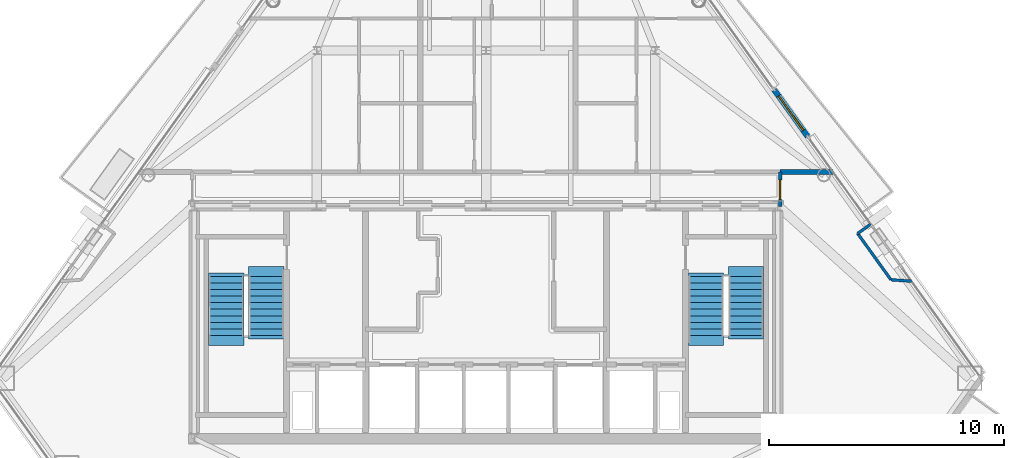
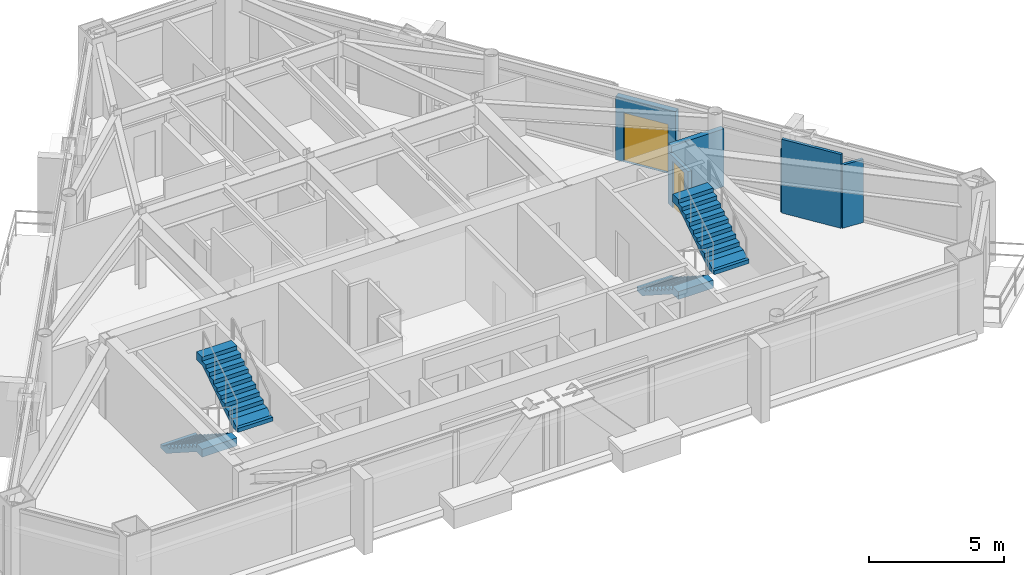
# One storey, part 10 of 12: 6 walls, 4 stair flights, 2 doors, 2 openings, 2 elements without a shape of their own.
"""IFC4 building model written with IfcOpenShell, lengths in metres."""

from ifc_helpers import new_model, si_unit, direction, frame, frame_2d, origin, place, context, subcontext, project, spatial, polyline, rectangle, outline, extrude, material, layer, layer_set, type_object, element, fill, aggregate, save


model = new_model("IFC4")

# Units and contexts
model_context = context("Model", 3, precision=1e-05, world=origin(), true_north=direction((0.0, 1.0)))
body_context = subcontext(model_context, "Body", "Model", "MODEL_VIEW")
ifc_project = project(units=[si_unit("LENGTHUNIT", "METRE"), si_unit("AREAUNIT", "SQUARE_METRE"), si_unit("VOLUMEUNIT", "CUBIC_METRE"), si_unit("PLANEANGLEUNIT", "RADIAN"), si_unit("MASSUNIT", "GRAM", prefix="KILO")], contexts=[model_context])

# Site, building, storey
site_placement = place(None, origin())
site = spatial("IfcSite", under=ifc_project, at=site_placement, CompositionType="ELEMENT")
building_placement = place(site_placement, origin())
building = spatial("IfcBuilding", under=site, at=building_placement, Name="Talgorran Terracotta Tower", CompositionType="ELEMENT")
storey_placement = place(building_placement, frame((0.0, 0.0, 221.699951171875)))
storey = spatial("IfcBuildingStorey", under=building, at=storey_placement, Name="L58", CompositionType="ELEMENT", Elevation=221.699951171875)

# Wall, opening, door
ifc_material_1 = material(Name="Concrete C40/50", Category="concrete")
ifc_layer_1 = layer(ifc_material_1, 0.239990234375, Name="WT_BALCONY_SPAND")
ifc_layer_set_1 = layer_set([ifc_layer_1], Name="Concrete C40/50")
wall_type_1 = type_object("IfcWallType", Name="WT_BALCONY_SPAND", PredefinedType="STANDARD", material=ifc_layer_set_1)
wall_1_placement = place(storey_placement, frame((13.675048828125, -1.251953125, -0.014892578125), z_axis=(0.0, 0.0, 1.0), x_axis=(-0.583139062732, 0.812372349059, 0.0)))
wall_1 = element("IfcWall", 1, at=wall_1_placement, inside=storey, type_object=wall_type_1, Name="WL-L58-BALP-BAL-NE", PredefinedType="STANDARD", context=body_context, shape_type="SweptSolid", body=[
    extrude(rectangle(XDim=2.43994140625, YDim=0.239990234375, at=frame_2d((1.219970703125, 0.0))), origin(), (0.0, 0.0, 1.0), 2.8779296875),
])
opening_1_placement = place(wall_1_placement, frame((0.320068359375, 0.0, 0.014892578125)))
opening_1 = element("IfcOpeningElement", 2, at=opening_1_placement, cuts=wall_1, Name="Opening D-BAL-L58-1", PredefinedType="OPENING", context=body_context, shape_type="SweptSolid", body=[
    extrude(rectangle(XDim=1.806048828125, YDim=2.203951171875, at=frame_2d((0.89990234375, 1.10205078125))), frame((0.0, 0.1298828125, 0.0), z_axis=(0.0, -1.0, 0.0), x_axis=(1.0, 0.0, 0.0)), (0.0, 0.0, 1.0), 0.260009765625),
])
ifc_material_2 = material(Name="Thermally Broken Aluminium", Category="aluminium")
door_type_1 = type_object("IfcDoorType", Name="DT_BALC_1800", OperationType="SLIDING_TO_LEFT", PredefinedType="DOOR", material=ifc_material_2)
door_1_placement = place(opening_1_placement, origin())
door_1 = element("IfcDoor", 3, at=door_1_placement, inside=storey, type_object=door_type_1, Name="DR-L58-BAL-BAL-NE", OperationType="SLIDING_TO_LEFT", OverallHeight=2.199951171875, OverallWidth=1.800048828125, PredefinedType="DOOR", context=body_context, shape_type="SweptSolid", body=[
    extrude(rectangle(XDim=1.800048828125, YDim=2.199951171875, at=frame_2d((0.89990234375, 1.10009765625))), frame((0.0, 0.02490234375, 0.0), z_axis=(0.0, -1.0, 0.0), x_axis=(1.0, 0.0, 0.0)), (0.0, 0.0, 1.0), 0.050048828125),
])
fill(opening_1, door_1)

ifc_material_3 = material(Name="Fire-Rated Steel Stud Plasterboard", Category="steel")
ifc_layer_2 = layer(ifc_material_3, 0.14990234375, Name="WT_FIRE_150")
ifc_layer_set_2 = layer_set([ifc_layer_2], Name="Fire-Rated Steel Stud Plasterboard")
wall_type_2 = type_object("IfcWallType", Name="WT_FIRE_150", PredefinedType="PARTITIONING", material=ifc_layer_set_2)
wall_2_placement = place(storey_placement, frame((12.5, -4.239990234375, 0.0), z_axis=(0.0, 0.0, 1.0), x_axis=(0.0, 1.0, 0.0)))
wall_2 = element("IfcWall", 4, at=wall_2_placement, inside=storey, type_object=wall_type_2, Name="WL-L58-W-L58-R02", PredefinedType="PARTITIONING", context=body_context, shape_type="SweptSolid", body=[
    extrude(rectangle(XDim=1.47998046875, YDim=0.14990234375, at=frame_2d((0.739990234375, 0.0))), origin(), (0.0, 0.0, 1.0), 2.320068359375),
])
opening_2_placement = place(wall_2_placement, frame((0.31494140625, 0.0, 0.0)))
opening_2 = element("IfcOpeningElement", 5, at=opening_2_placement, cuts=wall_2, Name="Opening DR-L58-R02", PredefinedType="OPENING", context=body_context, shape_type="SweptSolid", body=[
    extrude(rectangle(XDim=0.826068359375, YDim=2.10409765625, at=frame_2d((0.41015625, 1.052001953125))), frame((0.0, 0.0849609375, 0.0), z_axis=(0.0, -1.0, 0.0), x_axis=(1.0, 0.0, 0.0)), (0.0, 0.0, 1.0), 0.169921875),
])
ifc_material_4 = material(Name="Moisture-Resistant Solid Timber", Category="wood")
door_type_2 = type_object("IfcDoorType", Name="DT_INT_820", OperationType="NOTDEFINED", PredefinedType="DOOR", material=ifc_material_4)
door_2_placement = place(opening_2_placement, origin())
door_2 = element("IfcDoor", 6, at=door_2_placement, inside=storey, type_object=door_type_2, Name="DR-L58-R02", OperationType="SINGLE_SWING_RIGHT", OverallHeight=2.10009765625, OverallWidth=0.820068359375, PredefinedType="DOOR", context=body_context, shape_type="SweptSolid", body=[
    extrude(rectangle(XDim=0.820068359375, YDim=2.10009765625, at=frame_2d((0.41015625, 1.050048828125))), frame((0.0, 0.02490234375, 0.0), z_axis=(0.0, -1.0, 0.0), x_axis=(1.0, 0.0, 0.0)), (0.0, 0.0, 1.0), 0.050048828125),
])
fill(opening_2, door_2)

# Walls
ifc_material_5 = material(Name="Acoustic Masonry and Plasterboard", Category="masonry")
ifc_layer_3 = layer(ifc_material_5, 0.219970703125, Name="WT_PARTY_220")
ifc_layer_set_3 = layer_set([ifc_layer_3], Name="Acoustic Masonry and Plasterboard")
wall_type_3 = type_object("IfcWallType", Name="WT_PARTY_220", PredefinedType="PARTITIONING", material=ifc_layer_set_3)
wall_3_placement = place(storey_placement, frame((12.5, -2.760009765625, 0.0), z_axis=(0.0, 0.0, 1.0), x_axis=(1.0, 0.0, 0.0)))
element("IfcWall", 7, at=wall_3_placement, inside=storey, type_object=wall_type_3, Name="WL-L58-W-L58-R10", PredefinedType="PARTITIONING", context=body_context, shape_type="SweptSolid", body=[
    extrude(rectangle(XDim=2.25732421875, YDim=0.219970703125, at=frame_2d((1.128662109375, 0.0))), origin(), (0.0, 0.0, 1.0), 2.6201171875),
])
ifc_material_6 = material(Name="Insulated Steel Stud Plasterboard", Category="steel")
ifc_layer_4 = layer(ifc_material_6, 0.1201171875, Name="WT_PART_120")
ifc_layer_set_4 = layer_set([ifc_layer_4], Name="Insulated Steel Stud Plasterboard")
wall_type_4 = type_object("IfcWallType", Name="WT_PART_120", PredefinedType="PARTITIONING", material=ifc_layer_set_4)
wall_4_placement = place(storey_placement, frame((17.212890625, -7.346923828125, 0.0), z_axis=(0.0, 0.0, 1.0), x_axis=(-0.583201664134, 0.812327408716, 0.0)))
element("IfcWall", 8, at=wall_4_placement, inside=storey, type_object=wall_type_4, Name="WL-L58-BW-L58-13", PredefinedType="PARTITIONING", context=body_context, shape_type="SweptSolid", body=[
    extrude(rectangle(XDim=2.4208984375, YDim=0.1201171875, at=frame_2d((1.21044921875, 0.0))), origin(), (0.0, 0.0, 1.0), 3.344970703125),
])
wall_5_placement = place(storey_placement, frame((18.08056640625, -7.4072265625, 0.0), z_axis=(0.0, 0.0, 1.0), x_axis=(-0.997593647417, 0.069331916407, 0.0)))
element("IfcWall", 9, at=wall_5_placement, inside=storey, type_object=wall_type_4, Name="WL-L58-BW-L58-12", PredefinedType="PARTITIONING", context=body_context, shape_type="SweptSolid", body=[
    extrude(rectangle(XDim=0.869873046875, YDim=0.1201171875, at=frame_2d((0.43505859375, 0.0))), origin(), (0.0, 0.0, 1.0), 2.863037109375),
])
wall_6_placement = place(storey_placement, frame((15.801025390625, -5.38037109375, 0.0), z_axis=(0.0, 0.0, 1.0), x_axis=(0.812328158573, 0.583200619675, 0.0)))
element("IfcWall", 10, at=wall_6_placement, inside=storey, type_object=wall_type_4, Name="WL-L58-BW-L58-11", PredefinedType="PARTITIONING", context=body_context, shape_type="SweptSolid", body=[
    extrude(rectangle(XDim=0.670166015625, YDim=0.1201171875, at=frame_2d((0.3349609375, 0.0))), origin(), (0.0, 0.0, 1.0), 2.863037109375),
])

# Stair, stair flights
stair_type = type_object("IfcStairType", Name="ST_FIRE_SCISSOR", PredefinedType="HALF_TURN_STAIR", material=ifc_material_1)
stair_1_placement = place(storey_placement, origin())
stair_1 = element("IfcStair", 11, at=stair_1_placement, inside=storey, type_object=stair_type, Name="L58 West Protected Fire Stair ST-01", PredefinedType="HALF_TURN_STAIR")
ifc_layer_5 = layer(ifc_material_1, 0.179931640625, Name="STF_RC_1500")
ifc_layer_set_5 = layer_set([ifc_layer_5], Name="Concrete C40/50")
stair_flight_type = type_object("IfcStairFlightType", Name="STF_RC_1500", PredefinedType="STRAIGHT", material=ifc_layer_set_5)
stair_flight_1_placement = place(storey_placement, frame((-11.050048828125, -7.199951171875, 0.0), z_axis=(0.0, 0.0, 1.0), x_axis=(0.0, -1.0, 0.0)))
stair_flight_1 = element("IfcStairFlight", 12, at=stair_flight_1_placement, type_object=stair_flight_type, Name="ST-01 flight 1", NumberOfRisers=10, NumberOfTreads=9, PredefinedType="STRAIGHT", RiserHeight=0.18, TreadLength=0.28, context=body_context, shape_type="SweptSolid", body=[
    extrude(outline(polyline([(-0.139892578125, 0.0), (-0.139892578125, 0.179931640625), (0.0, 0.179931640625), (0.280029296875, 0.360107421875), (0.56005859375, 0.360107421875), (0.56005859375, 0.5400390625), (0.840087890625, 0.5400390625), (0.840087890625, 0.719970703125), (1.1201171875, 0.719970703125), (1.1201171875, 0.89990234375), (1.39990234375, 0.89990234375), (1.39990234375, 1.080078125), (1.679931640625, 1.080078125), (1.679931640625, 1.260009765625), (1.9599609375, 1.260009765625), (1.9599609375, 1.43994140625), (2.239990234375, 1.43994140625), (2.239990234375, 1.6201171875), (2.52001953125, 1.6201171875), (2.52001953125, 1.800048828125), (2.93994140625, 1.800048828125), (2.93994140625, 1.44189453125), (2.52001953125, 1.44189453125), (0.277099609375, 0.0), (-0.139892578125, 0.0)])), frame((0.0, 0.75, 0.0), z_axis=(0.0, -1.0, 0.0), x_axis=(1.0, 0.0, 0.0)), (0.0, 0.0, 1.0), 1.5),
])
stair_flight_2_placement = place(storey_placement, frame((-9.35009765625, -9.719970703125, 1.800048828125), z_axis=(0.0, 0.0, 1.0), x_axis=(0.0, 1.0, 0.0)))
stair_flight_2 = element("IfcStairFlight", 13, at=stair_flight_2_placement, type_object=stair_flight_type, Name="ST-01 flight 2", NumberOfRisers=10, NumberOfTreads=9, PredefinedType="STRAIGHT", RiserHeight=0.18, TreadLength=0.28, context=body_context, shape_type="SweptSolid", body=[
    extrude(outline(polyline([(-0.139892578125, 0.0), (-0.139892578125, 0.179931640625), (0.0, 0.179931640625), (0.280029296875, 0.360107421875), (0.56005859375, 0.360107421875), (0.56005859375, 0.5400390625), (0.840087890625, 0.5400390625), (0.840087890625, 0.719970703125), (1.1201171875, 0.719970703125), (1.1201171875, 0.89990234375), (1.39990234375, 0.89990234375), (1.39990234375, 1.080078125), (1.679931640625, 1.080078125), (1.679931640625, 1.260009765625), (1.9599609375, 1.260009765625), (1.9599609375, 1.43994140625), (2.239990234375, 1.43994140625), (2.239990234375, 1.6201171875), (2.52001953125, 1.6201171875), (2.52001953125, 1.800048828125), (2.93994140625, 1.800048828125), (2.93994140625, 1.44189453125), (2.52001953125, 1.44189453125), (0.277099609375, 0.0), (-0.139892578125, 0.0)])), frame((0.0, 0.75, 0.0), z_axis=(0.0, -1.0, 0.0), x_axis=(1.0, 0.0, 0.0)), (0.0, 0.0, 1.0), 1.5),
])
aggregate(stair_1, [stair_flight_1, stair_flight_2])

stair_2_placement = place(storey_placement, origin())
stair_2 = element("IfcStair", 14, at=stair_2_placement, inside=storey, type_object=stair_type, Name="L58 East Protected Fire Stair ST-02", PredefinedType="HALF_TURN_STAIR")
stair_flight_3_placement = place(storey_placement, frame((9.35009765625, -7.199951171875, 0.0), z_axis=(0.0, 0.0, 1.0), x_axis=(0.0, -1.0, 0.0)))
stair_flight_3 = element("IfcStairFlight", 15, at=stair_flight_3_placement, type_object=stair_flight_type, Name="ST-02 flight 1", NumberOfRisers=10, NumberOfTreads=9, PredefinedType="STRAIGHT", RiserHeight=0.18, TreadLength=0.28, context=body_context, shape_type="SweptSolid", body=[
    extrude(outline(polyline([(-0.139892578125, 0.0), (-0.139892578125, 0.179931640625), (0.0, 0.179931640625), (0.280029296875, 0.360107421875), (0.56005859375, 0.360107421875), (0.56005859375, 0.5400390625), (0.840087890625, 0.5400390625), (0.840087890625, 0.719970703125), (1.1201171875, 0.719970703125), (1.1201171875, 0.89990234375), (1.39990234375, 0.89990234375), (1.39990234375, 1.080078125), (1.679931640625, 1.080078125), (1.679931640625, 1.260009765625), (1.9599609375, 1.260009765625), (1.9599609375, 1.43994140625), (2.239990234375, 1.43994140625), (2.239990234375, 1.6201171875), (2.52001953125, 1.6201171875), (2.52001953125, 1.800048828125), (2.93994140625, 1.800048828125), (2.93994140625, 1.44189453125), (2.52001953125, 1.44189453125), (0.277099609375, 0.0), (-0.139892578125, 0.0)])), frame((0.0, 0.75, 0.0), z_axis=(0.0, -1.0, 0.0), x_axis=(1.0, 0.0, 0.0)), (0.0, 0.0, 1.0), 1.5),
])
stair_flight_4_placement = place(storey_placement, frame((11.050048828125, -9.719970703125, 1.800048828125), z_axis=(0.0, 0.0, 1.0), x_axis=(0.0, 1.0, 0.0)))
stair_flight_4 = element("IfcStairFlight", 16, at=stair_flight_4_placement, type_object=stair_flight_type, Name="ST-02 flight 2", NumberOfRisers=10, NumberOfTreads=9, PredefinedType="STRAIGHT", RiserHeight=0.18, TreadLength=0.28, context=body_context, shape_type="SweptSolid", body=[
    extrude(outline(polyline([(-0.139892578125, 0.0), (-0.139892578125, 0.179931640625), (0.0, 0.179931640625), (0.280029296875, 0.360107421875), (0.56005859375, 0.360107421875), (0.56005859375, 0.5400390625), (0.840087890625, 0.5400390625), (0.840087890625, 0.719970703125), (1.1201171875, 0.719970703125), (1.1201171875, 0.89990234375), (1.39990234375, 0.89990234375), (1.39990234375, 1.080078125), (1.679931640625, 1.080078125), (1.679931640625, 1.260009765625), (1.9599609375, 1.260009765625), (1.9599609375, 1.43994140625), (2.239990234375, 1.43994140625), (2.239990234375, 1.6201171875), (2.52001953125, 1.6201171875), (2.52001953125, 1.800048828125), (2.93994140625, 1.800048828125), (2.93994140625, 1.44189453125), (2.52001953125, 1.44189453125), (0.277099609375, 0.0), (-0.139892578125, 0.0)])), frame((0.0, 0.75, 0.0), z_axis=(0.0, -1.0, 0.0), x_axis=(1.0, 0.0, 0.0)), (0.0, 0.0, 1.0), 1.5),
])
aggregate(stair_2, [stair_flight_3, stair_flight_4])

save(model, "model.ifc")
